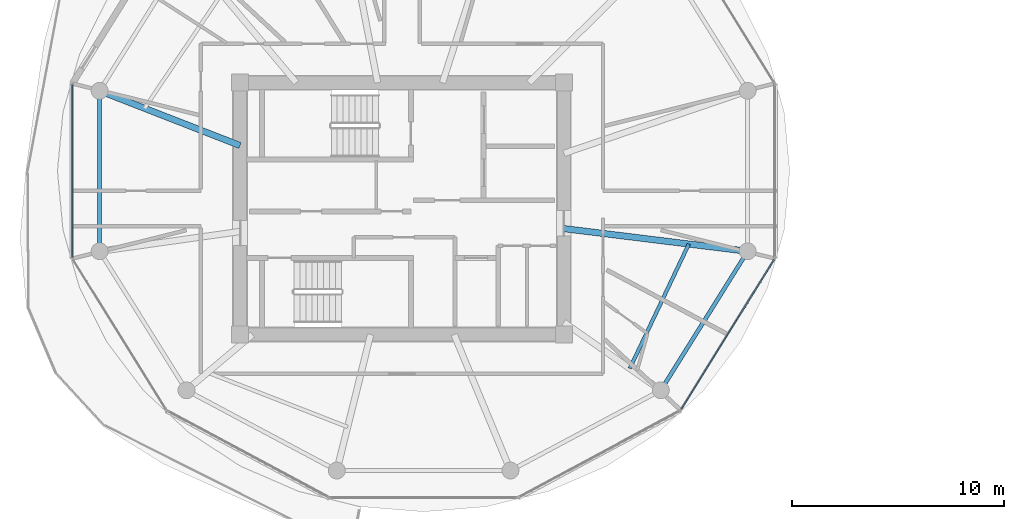
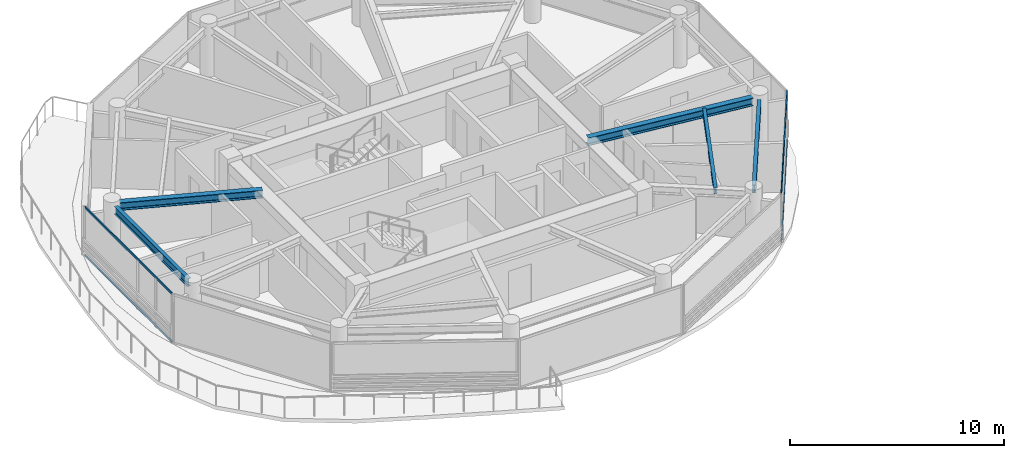
# One storey, part 3 of 23: 5 beams, 4 members, 2 elements without a shape of their own.
"""IFC4 building model written with IfcOpenShell, lengths in metres."""

import ifcopenshell
import ifcopenshell.guid

model = None  # the IFC model being written
_history = None  # IfcOwnerHistory: only IFC2X3 demands one
_inside = {}  # id of a spatial element -> (the spatial element, [elements in it])
_under = {}  # id of a project, library or spatial element -> (it, [spatial elements below it])
_declared = {}  # id of a project -> (the project, [libraries it declares])
_typed = {}  # id of a type object -> (the type object, [elements of that type])
_made_of = {}  # id of a material, layer set ... -> (it, [elements and type objects made of it])


def new_model(schema):
    """Start an empty IFC model of exactly this schema.

    Asked for "IFC4X3", IfcOpenShell would pick the latest addendum, in which some entities
    have other attributes; the version numbers below select the first issue.
    IFC2X3 requires an IfcOwnerHistory on every rooted entity: one is made here for all.
    """
    global model, _history
    if schema == "IFC4X3":
        model = ifcopenshell.file(schema_version=(4, 3, 0, 0))
    else:
        model = ifcopenshell.file(schema=schema)
    _inside.clear()
    _under.clear()
    _declared.clear()
    _typed.clear()
    _made_of.clear()
    _history = None
    if model.schema == "IFC2X3":
        org = make("IfcOrganization", Name="unknown")
        user = make(
            "IfcPersonAndOrganization",
            ThePerson=make("IfcPerson", FamilyName="unknown"),
            TheOrganization=org,
        )
        app = make(
            "IfcApplication",
            ApplicationDeveloper=org,
            Version="unknown",
            ApplicationFullName="unknown",
            ApplicationIdentifier="unknown",
        )
        _history = make(
            "IfcOwnerHistory",
            OwningUser=user,
            OwningApplication=app,
            ChangeAction="ADDED",
            CreationDate=0,
        )
    return model


def make(cls, **values):
    """One entity of the class cls with the attributes given. An attribute that is None is left unset."""
    return model.create_entity(
        cls, **{name: value for name, value in values.items() if value is not None}
    )


def rooted(cls, **values):
    """An entity with a GlobalId (a new one), such as an element, a storey or a relation."""
    return make(cls, GlobalId=ifcopenshell.guid.new(), OwnerHistory=_history, **values)


def si_unit(unit_type, name, prefix=None):
    """IfcSIUnit, for example si_unit("LENGTHUNIT", "METRE", prefix="MILLI")."""
    return make("IfcSIUnit", UnitType=unit_type, Prefix=prefix, Name=name)


def assignment(units):
    """IfcUnitAssignment: the units of a project."""
    return None if units is None else make("IfcUnitAssignment", Units=units)


def point(xyz):
    """IfcCartesianPoint."""
    return None if xyz is None else make("IfcCartesianPoint", Coordinates=xyz)


def direction(xyz):
    """IfcDirection."""
    return None if xyz is None else make("IfcDirection", DirectionRatios=xyz)


def frame(location, z_axis=None, x_axis=None):
    """IfcAxis2Placement3D, a coordinate frame: its origin and axes. An axis left out is left unset."""
    return make(
        "IfcAxis2Placement3D",
        Location=point(location),
        Axis=direction(z_axis),
        RefDirection=direction(x_axis),
    )


def frame_2d(location, x_axis=None):
    """IfcAxis2Placement2D, a coordinate frame in the plane: its origin and x axis."""
    return make(
        "IfcAxis2Placement2D", Location=point(location), RefDirection=direction(x_axis)
    )


def origin():
    """The frame at (0, 0, 0) with its axes left unset."""
    return frame((0.0, 0.0, 0.0))


def origin_2d():
    """The frame at (0, 0) in the plane with its x axis left unset."""
    return frame_2d((0.0, 0.0))


def place(relative_to, where):
    """IfcLocalPlacement: puts the frame where relative to a parent placement (None: the world)."""
    return make(
        "IfcLocalPlacement", PlacementRelTo=relative_to, RelativePlacement=where
    )


def context(
    kind, dimensions, precision=None, world=None, true_north=None, identifier=None
):
    """IfcGeometricRepresentationContext, for example the 3D "Model" context."""
    return make(
        "IfcGeometricRepresentationContext",
        ContextIdentifier=identifier,
        ContextType=kind,
        CoordinateSpaceDimension=dimensions,
        Precision=precision,
        WorldCoordinateSystem=world,
        TrueNorth=true_north,
    )


def subcontext(parent, identifier, kind, view, scale=None):
    """IfcGeometricRepresentationSubContext, for example "Body" below "Model"."""
    return make(
        "IfcGeometricRepresentationSubContext",
        ContextIdentifier=identifier,
        ContextType=kind,
        ParentContext=parent,
        TargetScale=scale,
        TargetView=view,
    )


def project(units=None, contexts=None):
    """IfcProject with its units and contexts."""
    return rooted(
        "IfcProject",
        Name="project",
        RepresentationContexts=contexts,
        UnitsInContext=assignment(units),
    )


def spatial(cls, under=None, at=None, **own):
    """A site, building, storey or space (cls), placed at a placement, below another one or the project."""
    s = rooted(cls, ObjectPlacement=at, **own)
    if under is not None:
        _under.setdefault(under.id(), (under, []))[1].append(s)
    return s


def profile(cls, at=None, kind="AREA", **sizes):
    """A parametric profile (cls). Its sizes go by their IFC names, for example OverallWidth=200.0."""
    return make(cls, ProfileType=kind, Position=at, **sizes)


def rectangle(**sizes):
    """IfcRectangleProfileDef."""
    return profile("IfcRectangleProfileDef", **sizes)


def i_section(**sizes):
    """IfcIShapeProfileDef."""
    return profile("IfcIShapeProfileDef", **sizes)


def extrude(swept, where, along, depth):
    """IfcExtrudedAreaSolid: the profile swept, set in the frame where, extruded along a direction by depth."""
    return make(
        "IfcExtrudedAreaSolid",
        SweptArea=swept,
        Position=where,
        ExtrudedDirection=direction(along),
        Depth=depth,
    )


def shape(context_of_items, identifier, shape_type, items):
    """IfcShapeRepresentation: the items that make up one representation, for example the "Body"."""
    return make(
        "IfcShapeRepresentation",
        ContextOfItems=context_of_items,
        RepresentationIdentifier=identifier,
        RepresentationType=shape_type,
        Items=items,
    )


def source(mapping_origin, context_of_items, identifier, shape_type, items):
    """IfcRepresentationMap: a shape defined once, which mapped items show again and again."""
    return make(
        "IfcRepresentationMap",
        MappingOrigin=mapping_origin,
        MappedRepresentation=shape(context_of_items, identifier, shape_type, items),
    )


def transform(
    local_origin,
    x_axis=None,
    y_axis=None,
    z_axis=None,
    scale=None,
    scale2=None,
    scale3=None,
    uniform=True,
):
    """IfcCartesianTransformationOperator3D, or its non-uniform kind. x_axis, y_axis, z_axis: its Axis1, 2, 3."""
    if uniform:
        return make(
            "IfcCartesianTransformationOperator3D",
            Axis1=direction(x_axis),
            Axis2=direction(y_axis),
            LocalOrigin=point(local_origin),
            Scale=scale,
            Axis3=direction(z_axis),
        )
    return make(
        "IfcCartesianTransformationOperator3DnonUniform",
        Axis1=direction(x_axis),
        Axis2=direction(y_axis),
        LocalOrigin=point(local_origin),
        Scale=scale,
        Axis3=direction(z_axis),
        Scale2=scale2,
        Scale3=scale3,
    )


def mapped(mapping_source, mapping_target):
    """IfcMappedItem: shows the shape of a source again, moved by a transform."""
    return make(
        "IfcMappedItem", MappingSource=mapping_source, MappingTarget=mapping_target
    )


def material(Name=None, Category=None):
    """IfcMaterial."""
    return make("IfcMaterial", Name=Name, Category=Category)


def layer(
    of_material, thickness, ventilated=None, Name=None, Category=None, Priority=None
):
    """IfcMaterialLayer: one layer of a wall or slab, of a material (None: an air gap)."""
    return make(
        "IfcMaterialLayer",
        Material=of_material,
        LayerThickness=thickness,
        IsVentilated=ventilated,
        Name=Name,
        Category=Category,
        Priority=Priority,
    )


def layer_set(layers, Name=None):
    """IfcMaterialLayerSet."""
    return make("IfcMaterialLayerSet", MaterialLayers=layers, LayerSetName=Name)


def material_profile(
    of_material, cross_section, Name=None, Category=None, Priority=None
):
    """IfcMaterialProfile: a cross section and its material."""
    return make(
        "IfcMaterialProfile",
        Name=Name,
        Material=of_material,
        Profile=cross_section,
        Priority=Priority,
        Category=Category,
    )


def profile_set(profiles, Name=None, composite=None):
    """IfcMaterialProfileSet."""
    return make(
        "IfcMaterialProfileSet",
        Name=Name,
        MaterialProfiles=profiles,
        CompositeProfile=composite,
    )


def made_of(thing, what):
    """Note that an element or type object is made of a material, layer set ...; save() writes the relation."""
    if what is not None:
        _made_of.setdefault(what.id(), (what, []))[1].append(thing)
    return thing


def type_object(cls, material=None, **own):
    """A type object (cls), such as IfcWallType, which elements share."""
    return made_of(rooted(cls, **own), material)


def type_shapes(of_type, sources):
    """Give a type object the sources (RepresentationMaps) that its elements show as mapped items."""
    of_type.RepresentationMaps = sources


def element(
    cls,
    number,
    at=None,
    inside=None,
    cuts=None,
    type_object=None,
    material=None,
    context=None,
    identifier="Body",
    shape_type=None,
    held_by="IfcProductDefinitionShape",
    body=None,
    shapes=None,
    **own,
):
    """One element of the class cls, such as IfcWall. Its Tag is "e" and its number.

    at: its placement. inside: the storey or other place that contains it. cuts: it is an
    opening in that element (IfcRelVoidsElement). A single representation is given by context,
    identifier, shape_type and body (its items); several are given by shapes. held_by: the class
    of the entity that holds the representations. save() writes the other relations.
    """
    e = rooted(cls, Tag="e%d" % number, ObjectPlacement=at, **own)
    if body is not None:
        shapes = [shape(context, identifier, shape_type, body)]
    if shapes is not None:
        e.Representation = make(held_by, Representations=shapes)
    if inside is not None:
        _inside.setdefault(inside.id(), (inside, []))[1].append(e)
    if cuts is not None:
        rooted(
            "IfcRelVoidsElement", RelatingBuildingElement=cuts, RelatedOpeningElement=e
        )
    if type_object is not None:
        _typed.setdefault(type_object.id(), (type_object, []))[1].append(e)
    return made_of(e, material)


def aggregate(whole, parts):
    """IfcRelAggregates: a whole, such as a stair, and the parts it consists of."""
    return rooted("IfcRelAggregates", RelatingObject=whole, RelatedObjects=parts)


def save(model, path):
    """Write the relations noted so far, then the file.

    IfcRelAggregates (storeys below a building ...), IfcRelContainedInSpatialStructure (elements
    in a storey), IfcRelDefinesByType, IfcRelAssociatesMaterial and IfcRelDeclares: one each for
    every whole, place, type object, material and project.
    """
    for whole, parts in _under.values():
        aggregate(whole, parts)
    for where, things in _inside.values():
        rooted(
            "IfcRelContainedInSpatialStructure",
            RelatedElements=things,
            RelatingStructure=where,
        )
    for kind, things in _typed.values():
        rooted("IfcRelDefinesByType", RelatedObjects=things, RelatingType=kind)
    for what, things in _made_of.values():
        rooted("IfcRelAssociatesMaterial", RelatedObjects=things, RelatingMaterial=what)
    for by, libraries in _declared.values():
        rooted("IfcRelDeclares", RelatingContext=by, RelatedDefinitions=libraries)
    model.write(path)


model = new_model("IFC4")

# Units and contexts
model_context = context("Model", 3, precision=1e-05, world=origin(), true_north=direction((0.0, 1.0)))
body_context = subcontext(model_context, "Body", "Model", "MODEL_VIEW")
ifc_project = project(units=[si_unit("LENGTHUNIT", "METRE"), si_unit("AREAUNIT", "SQUARE_METRE"), si_unit("VOLUMEUNIT", "CUBIC_METRE"), si_unit("PLANEANGLEUNIT", "RADIAN"), si_unit("MASSUNIT", "GRAM", prefix="KILO")], contexts=[model_context])

# Site, building, storey
site_placement = place(None, origin())
site = spatial("IfcSite", under=ifc_project, at=site_placement, CompositionType="ELEMENT")
building_placement = place(site_placement, origin())
building = spatial("IfcBuilding", under=site, at=building_placement, Name="Norrkilde Senior Care Towers", CompositionType="ELEMENT")
storey_placement = place(building_placement, frame((0.0, 0.0, 164.800048828125)))
storey = spatial("IfcBuildingStorey", under=building, at=storey_placement, Name="L51", CompositionType="ELEMENT", Elevation=164.800048828125)

# Beams
ifc_material_1 = material(Name="Steel S355", Category="steel")
ifc_material_profile_1 = material_profile(ifc_material_1, i_section(OverallWidth=0.18994140625, OverallDepth=0.449951171875, WebThickness=0.009521484375, FlangeThickness=0.0146484375, FilletRadius=0.02099609375, at=origin_2d()), Name="IPE 450")
ifc_profile_set_1 = profile_set([ifc_material_profile_1], Name="Steel S355")
beam_type_1 = type_object("IfcBeamType", Name="Perimeter Ring Spandrel Z3 IPE450", PredefinedType="SPANDREL", material=ifc_profile_set_1)
shared_shape_1 = source(origin(), body_context, "Body", "SweptSolid", [
    extrude(i_section(OverallWidth=0.18994140625, OverallDepth=0.449951171875, WebThickness=0.009521484375, FlangeThickness=0.0146484375, FilletRadius=0.02099609375, at=origin_2d()), origin(), (0.0, 0.0, 1.0), 6.86328125),
])
beam_1_placement = place(storey_placement, frame((-42.284912109375, 5.20703125, 2.5849609375), z_axis=(0.0, -1.0, 0.0), x_axis=(1.0, 0.0, 0.0)))
element("IfcBeam", 1, at=beam_1_placement, inside=storey, type_object=beam_type_1, Name="L51 Drum W Perimeter Spandrel 06", PredefinedType="SPANDREL", context=body_context, shape_type="MappedRepresentation", body=[
    mapped(shared_shape_1, transform((0.0, 0.0, 0.0), x_axis=(1.0, 0.0, 0.0), y_axis=(0.0, 1.0, 0.0), z_axis=(0.0, 0.0, 1.0), scale=1.0)),
])
ifc_material_profile_2 = material_profile(ifc_material_1, i_section(OverallWidth=0.300048828125, OverallDepth=0.449951171875, WebThickness=0.013916015625, FlangeThickness=0.02587890625, FilletRadius=0.027099609375, at=origin_2d()), Name="HEB 450")
ifc_profile_set_2 = profile_set([ifc_material_profile_2], Name="Steel S355")
beam_type_2 = type_object("IfcBeamType", Name="Radial Floor Beam Z3 HEB450", PredefinedType="BEAM", material=ifc_profile_set_2)
shared_shape_2 = source(origin(), body_context, "Body", "SweptSolid", [
    extrude(i_section(OverallWidth=0.300048828125, OverallDepth=0.449951171875, WebThickness=0.013916015625, FlangeThickness=0.02587890625, FilletRadius=0.027099609375, at=origin_2d()), origin(), (0.0, 0.0, 1.0), 6.760986328125),
])
beam_2_placement = place(storey_placement, frame((-35.64990234375, 2.981201171875, 2.5849609375), z_axis=(-0.931742171387, 0.363120539297, 0.0), x_axis=(-0.363120539297, -0.931742171387, 0.0)))
element("IfcBeam", 2, at=beam_2_placement, inside=storey, type_object=beam_type_2, Name="L51 Drum W Radial Floor Beam 06", PredefinedType="BEAM", context=body_context, shape_type="MappedRepresentation", body=[
    mapped(shared_shape_2, transform((0.0, 0.0, 0.0), x_axis=(1.0, 0.0, 0.0), y_axis=(0.0, 1.0, 0.0), z_axis=(0.0, 0.0, 1.0), scale=1.0)),
])
shared_shape_3 = source(origin(), body_context, "Body", "SweptSolid", [
    extrude(i_section(OverallWidth=0.18994140625, OverallDepth=0.449951171875, WebThickness=0.009521484375, FlangeThickness=0.0146484375, FilletRadius=0.02099609375, at=origin_2d()), origin(), (0.0, 0.0, 1.0), 7.023193359375),
])
type_shapes(beam_type_1, [shared_shape_1, shared_shape_3])
beam_3_placement = place(storey_placement, frame((-15.57666015625, -8.2783203125, 2.5849609375), z_axis=(0.529805197269, 0.848119362441, 0.0), x_axis=(-0.848119362441, 0.529805197269, 0.0)))
element("IfcBeam", 3, at=beam_3_placement, inside=storey, type_object=beam_type_1, Name="L51 Drum W Perimeter Spandrel 11", PredefinedType="SPANDREL", context=body_context, shape_type="MappedRepresentation", body=[
    mapped(shared_shape_3, transform((0.0, 0.0, 0.0), x_axis=(1.0, 0.0, 0.0), y_axis=(0.0, 1.0, 0.0), z_axis=(0.0, 0.0, 1.0), scale=1.0)),
])
shared_shape_4 = source(origin(), body_context, "Body", "SweptSolid", [
    extrude(i_section(OverallWidth=0.300048828125, OverallDepth=0.449951171875, WebThickness=0.013916015625, FlangeThickness=0.02587890625, FilletRadius=0.027099609375, at=origin_2d()), origin(), (0.0, 0.0, 1.0), 8.390869140625),
])
type_shapes(beam_type_2, [shared_shape_2, shared_shape_4])
beam_4_placement = place(storey_placement, frame((-20.35009765625, -0.9443359375, 2.5849609375), z_axis=(0.99246916403, -0.122494728249, 0.0), x_axis=(0.122494728249, 0.99246916403, 0.0)))
element("IfcBeam", 4, at=beam_4_placement, inside=storey, type_object=beam_type_2, Name="L51 Drum W Radial Floor Beam 12", PredefinedType="BEAM", context=body_context, shape_type="MappedRepresentation", body=[
    mapped(shared_shape_4, transform((0.0, 0.0, 0.0), x_axis=(1.0, 0.0, 0.0), y_axis=(0.0, 1.0, 0.0), z_axis=(0.0, 0.0, 1.0), scale=1.0)),
])
ifc_material_profile_3 = material_profile(ifc_material_1, i_section(OverallWidth=0.169921875, OverallDepth=0.360107421875, WebThickness=0.008056640625, FlangeThickness=0.0126953125, FilletRadius=0.01806640625, at=origin_2d()), Name="IPE 360")
ifc_profile_set_3 = profile_set([ifc_material_profile_3], Name="Steel S355")
beam_type_3 = type_object("IfcBeamType", Name="Secondary Floor Joist IPE360", PredefinedType="JOIST", material=ifc_profile_set_3)
shared_shape_5 = source(origin(), body_context, "Body", "SweptSolid", [
    extrude(i_section(OverallWidth=0.169921875, OverallDepth=0.360107421875, WebThickness=0.008056640625, FlangeThickness=0.0126953125, FilletRadius=0.01806640625, at=origin_2d()), origin(), (0.0, 0.0, 1.0), 6.50927734375),
])
type_shapes(beam_type_3, [shared_shape_5])
beam_5_placement = place(storey_placement, frame((-17.23388671875, -7.5546875, 2.6298828125), z_axis=(0.428544169129, 0.90352083269, 0.0), x_axis=(-0.90352083269, 0.428544169129, 0.0)))
element("IfcBeam", 5, at=beam_5_placement, inside=storey, type_object=beam_type_3, Name="L51 Drum W Secondary Floor Joist 4", PredefinedType="JOIST", context=body_context, shape_type="MappedRepresentation", body=[
    mapped(shared_shape_5, transform((0.0, 0.0, 0.0), x_axis=(1.0, 0.0, 0.0), y_axis=(0.0, 1.0, 0.0), z_axis=(0.0, 0.0, 1.0), scale=1.0)),
])

# Curtain wall, members
ifc_material_2 = material(Name="Triple Low-E Insulated Glazing", Category="glass")
ifc_layer = layer(ifc_material_2, 0.18994140625)
ifc_layer_set = layer_set([ifc_layer], Name="Triple Low-E Insulated Glazing")
curtain_wall_type = type_object("IfcCurtainWallType", Name="CW4 Zone 3 Senior Residence Curtain Wall", PredefinedType="NOTDEFINED", material=ifc_layer_set)
curtain_wall_1_placement = place(storey_placement, origin())
curtain_wall_1 = element("IfcCurtainWall", 6, at=curtain_wall_1_placement, inside=storey, type_object=curtain_wall_type, Name="L51 Drum W Curtain Wall 10", PredefinedType="NOTDEFINED")
ifc_material_3 = material(Name="Anodised Aluminium", Category="aluminium")
ifc_material_profile_4 = material_profile(ifc_material_3, rectangle(XDim=0.06005859375, YDim=0.1201171875, at=origin_2d()), Name="ALU TRAN 60x120")
ifc_profile_set_4 = profile_set([ifc_material_profile_4], Name="Anodised Aluminium")
member_type = type_object("IfcMemberType", Name="Curtain Wall Transom Typical 60x120", PredefinedType="USERDEFINED", material=ifc_profile_set_4)
shared_shape_6 = source(origin(), body_context, "Body", "SweptSolid", [
    extrude(rectangle(XDim=0.06005859375, YDim=0.1201171875, at=origin_2d()), origin(), (0.0, 0.0, 1.0), 8.301513671875),
])
member_1_placement = place(storey_placement, frame((-10.414794921875, -2.415771484375, 0.030029296875), z_axis=(-0.527368718394, -0.849636531029, 0.0), x_axis=(0.849636531029, -0.527368718394, 0.0)))
member_1 = element("IfcMember", 7, at=member_1_placement, type_object=member_type, Name="CW-4 transom 1.1", ObjectType="TRANSOM", PredefinedType="USERDEFINED", context=body_context, shape_type="MappedRepresentation", body=[
    mapped(shared_shape_6, transform((0.0, 0.0, 0.0), x_axis=(1.0, 0.0, 0.0), y_axis=(0.0, 1.0, 0.0), z_axis=(0.0, 0.0, 1.0), scale=1.0)),
])
member_2_placement = place(storey_placement, frame((-10.414794921875, -2.415771484375, 2.780029296875), z_axis=(-0.527368718394, -0.849636531029, 0.0), x_axis=(0.849636531029, -0.527368718394, 0.0)))
member_2 = element("IfcMember", 8, at=member_2_placement, type_object=member_type, Name="CW-4 transom 1.2", ObjectType="TRANSOM", PredefinedType="USERDEFINED", context=body_context, shape_type="MappedRepresentation", body=[
    mapped(shared_shape_6, transform((0.0, 0.0, 0.0), x_axis=(1.0, 0.0, 0.0), y_axis=(0.0, 1.0, 0.0), z_axis=(0.0, 0.0, 1.0), scale=1.0)),
])
aggregate(curtain_wall_1, [member_1, member_2])

curtain_wall_2_placement = place(storey_placement, origin())
curtain_wall_2 = element("IfcCurtainWall", 9, at=curtain_wall_2_placement, inside=storey, type_object=curtain_wall_type, Name="L51 Drum W Curtain Wall 05", PredefinedType="NOTDEFINED")
shared_shape_7 = source(origin(), body_context, "Body", "SweptSolid", [
    extrude(rectangle(XDim=0.06005859375, YDim=0.1201171875, at=origin_2d()), origin(), (0.0, 0.0, 1.0), 8.141845703125),
])
type_shapes(member_type, [shared_shape_6, shared_shape_7])
member_3_placement = place(storey_placement, frame((-43.569580078125, -2.295654296875, 0.030029296875), z_axis=(0.0, 1.0, 0.0), x_axis=(-1.0, 0.0, 0.0)))
member_3 = element("IfcMember", 10, at=member_3_placement, type_object=member_type, Name="CW-4 transom 1.1", ObjectType="TRANSOM", PredefinedType="USERDEFINED", context=body_context, shape_type="MappedRepresentation", body=[
    mapped(shared_shape_7, transform((0.0, 0.0, 0.0), x_axis=(1.0, 0.0, 0.0), y_axis=(0.0, 1.0, 0.0), z_axis=(0.0, 0.0, 1.0), scale=1.0)),
])
member_4_placement = place(storey_placement, frame((-43.569580078125, -2.295654296875, 2.780029296875), z_axis=(0.0, 1.0, 0.0), x_axis=(-1.0, 0.0, 0.0)))
member_4 = element("IfcMember", 11, at=member_4_placement, type_object=member_type, Name="CW-4 transom 1.2", ObjectType="TRANSOM", PredefinedType="USERDEFINED", context=body_context, shape_type="MappedRepresentation", body=[
    mapped(shared_shape_7, transform((0.0, 0.0, 0.0), x_axis=(1.0, 0.0, 0.0), y_axis=(0.0, 1.0, 0.0), z_axis=(0.0, 0.0, 1.0), scale=1.0)),
])
aggregate(curtain_wall_2, [member_3, member_4])

save(model, "model.ifc")
